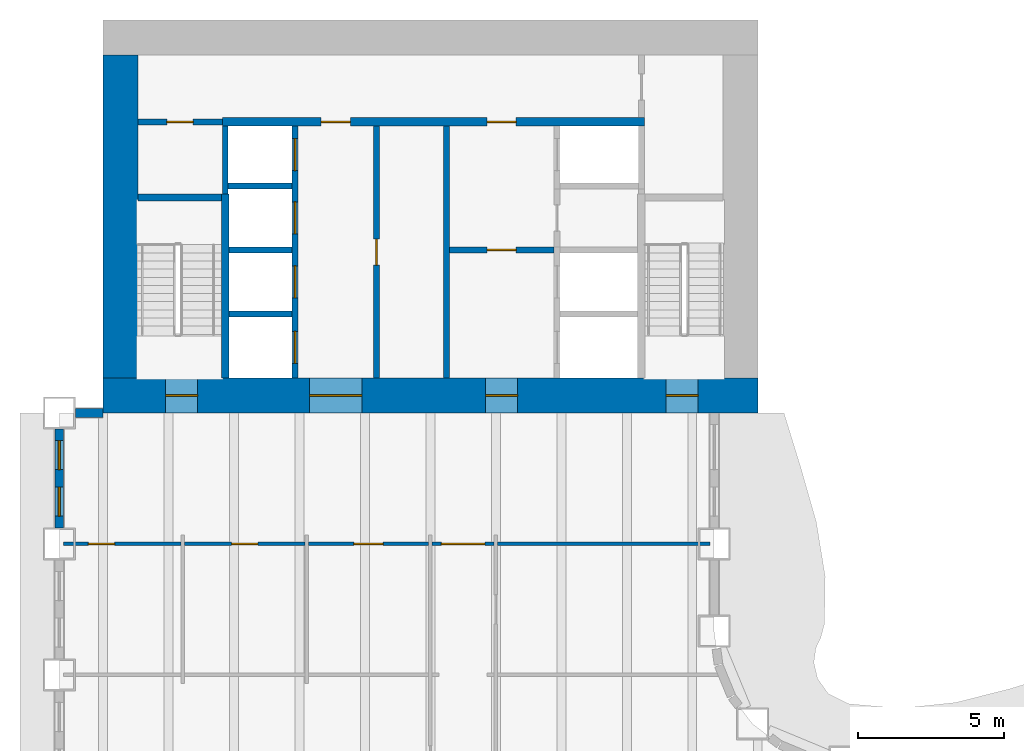
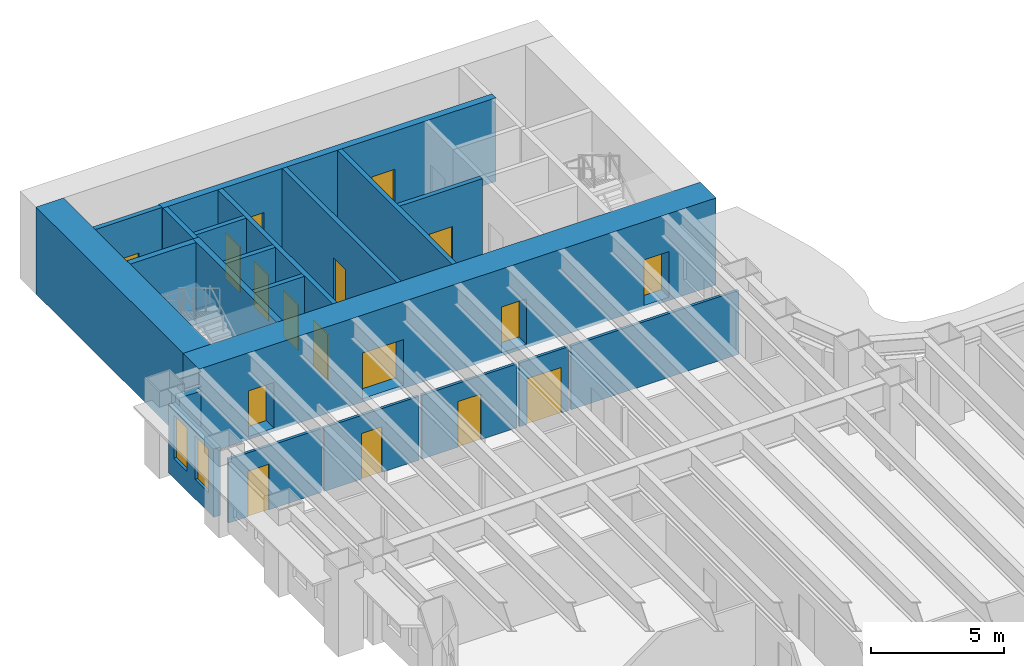
# One storey, part 8 of 16: 21 walls, 17 doors, 2 windows, 19 openings.
"""IFC4 building model written with IfcOpenShell, lengths in metres."""

from ifc_helpers import new_model, si_unit, direction, frame, frame_2d, origin, place, context, subcontext, project, spatial, rectangle, extrude, material, layer, layer_set, type_object, element, fill, save


model = new_model("IFC4")

# Units and contexts
model_context = context("Model", 3, precision=1e-05, world=origin(), true_north=direction((0.0, 1.0)))
body_context = subcontext(model_context, "Body", "Model", "MODEL_VIEW")
ifc_project = project(units=[si_unit("LENGTHUNIT", "METRE"), si_unit("AREAUNIT", "SQUARE_METRE"), si_unit("VOLUMEUNIT", "CUBIC_METRE"), si_unit("PLANEANGLEUNIT", "RADIAN"), si_unit("MASSUNIT", "GRAM", prefix="KILO")], contexts=[model_context])

# Site, building, storey
site_placement = place(None, origin())
site = spatial("IfcSite", under=ifc_project, at=site_placement, CompositionType="ELEMENT")
building_placement = place(site_placement, origin())
building = spatial("IfcBuilding", under=site, at=building_placement, Name="Sennacour Bend Tower", CompositionType="ELEMENT")
storey_placement = place(building_placement, frame((0.0, 0.0, 57.0)))
storey = spatial("IfcBuildingStorey", under=building, at=storey_placement, Name="L12", CompositionType="ELEMENT", Elevation=57.0)

# Wall, openings, doors
ifc_material_1 = material(Name="Concrete C80/95", Category="concrete")
ifc_layer_1 = layer(ifc_material_1, 1.199951171875, Name="Concrete C80/95", Category="concrete")
ifc_layer_set_1 = layer_set([ifc_layer_1], Name="Concrete C80/95")
wall_type_1 = type_object("IfcWallType", Name="Core wall 1200 C80/95", PredefinedType="SHEAR", material=ifc_layer_set_1)
wall_1_placement = place(storey_placement, frame((0.0, 36.60009765625, -0.14990234375), z_axis=(0.0, 0.0, 1.0), x_axis=(1.0, 0.0, 0.0)))
wall_1 = element("IfcWall", 1, at=wall_1_placement, inside=storey, type_object=wall_type_1, Name="Core B wall L12 S", PredefinedType="SHEAR", context=body_context, shape_type="SweptSolid", body=[
    extrude(rectangle(XDim=22.5, YDim=1.199951171875, at=frame_2d((11.25, 0.0))), origin(), (0.0, 0.0, 1.0), 4.0),
])
opening_1_placement = place(wall_1_placement, frame((7.10009765625, 0.0, 0.14990234375)))
opening_1 = element("IfcOpeningElement", 2, at=opening_1_placement, cuts=wall_1, Name="Opening CD", PredefinedType="OPENING", context=body_context, shape_type="SweptSolid", body=[
    extrude(rectangle(XDim=1.800048828125, YDim=2.10009765625, at=frame_2d((0.89990234375, 1.050048828125))), frame((0.0, 0.60986328125, 0.0), z_axis=(0.0, -1.0, 0.0), x_axis=(1.0, 0.0, 0.0)), (0.0, 0.0, 1.0), 1.219970703125),
])
opening_2_placement = place(wall_1_placement, frame((13.14990234375, 0.0, 0.14990234375)))
opening_2 = element("IfcOpeningElement", 3, at=opening_2_placement, cuts=wall_1, Name="Opening FD", PredefinedType="OPENING", context=body_context, shape_type="SweptSolid", body=[
    extrude(rectangle(XDim=1.10009765625, YDim=2.10009765625, at=frame_2d((0.550048828125, 1.050048828125))), frame((0.0, 0.60986328125, 0.0), z_axis=(0.0, -1.0, 0.0), x_axis=(1.0, 0.0, 0.0)), (0.0, 0.0, 1.0), 1.219970703125),
])
opening_3_placement = place(wall_1_placement, frame((2.14990234375, 0.0, 0.14990234375)))
opening_3 = element("IfcOpeningElement", 4, at=opening_3_placement, cuts=wall_1, Name="Opening SD", PredefinedType="OPENING", context=body_context, shape_type="SweptSolid", body=[
    extrude(rectangle(XDim=1.10009765625, YDim=2.10009765625, at=frame_2d((0.550048828125, 1.050048828125))), frame((0.0, 0.60986328125, 0.0), z_axis=(0.0, -1.0, 0.0), x_axis=(1.0, 0.0, 0.0)), (0.0, 0.0, 1.0), 1.219970703125),
])
opening_4_placement = place(wall_1_placement, frame((19.35009765625, 0.0, 0.14990234375)))
opening_4 = element("IfcOpeningElement", 5, at=opening_4_placement, cuts=wall_1, Name="Opening SD", PredefinedType="OPENING", context=body_context, shape_type="SweptSolid", body=[
    extrude(rectangle(XDim=1.10009765625, YDim=2.10009765625, at=frame_2d((0.550048828125, 1.050048828125))), frame((0.0, 0.60986328125, 0.0), z_axis=(0.0, -1.0, 0.0), x_axis=(1.0, 0.0, 0.0)), (0.0, 0.0, 1.0), 1.219970703125),
])
ifc_material_2 = material(Name="Painted steel", Category="steel")
door_type_1 = type_object("IfcDoorType", Name="DR-FFL-1100", OperationType="NOTDEFINED", PredefinedType="DOOR", material=ifc_material_2)
door_1_placement = place(opening_2_placement, origin())
door_1 = element("IfcDoor", 6, at=door_1_placement, inside=storey, type_object=door_type_1, Name="Door", OperationType="SINGLE_SWING_RIGHT", OverallHeight=2.10009765625, OverallWidth=1.10009765625, PredefinedType="DOOR", context=body_context, shape_type="SweptSolid", body=[
    extrude(rectangle(XDim=1.10009765625, YDim=2.10009765625, at=frame_2d((0.550048828125, 1.050048828125))), frame((0.0, 0.02490234375, 0.0), z_axis=(0.0, -1.0, 0.0), x_axis=(1.0, 0.0, 0.0)), (0.0, 0.0, 1.0), 0.050048828125),
])
fill(opening_2, door_1)
door_type_2 = type_object("IfcDoorType", Name="DR-LOBBY-1800", OperationType="NOTDEFINED", PredefinedType="DOOR", material=ifc_material_2)
door_2_placement = place(opening_1_placement, origin())
door_2 = element("IfcDoor", 7, at=door_2_placement, inside=storey, type_object=door_type_2, Name="Door", OperationType="DOUBLE_DOOR_SINGLE_SWING", OverallHeight=2.10009765625, OverallWidth=1.800048828125, PredefinedType="DOOR", context=body_context, shape_type="SweptSolid", body=[
    extrude(rectangle(XDim=1.800048828125, YDim=2.10009765625, at=frame_2d((0.89990234375, 1.050048828125))), frame((0.0, 0.02490234375, 0.0), z_axis=(0.0, -1.0, 0.0), x_axis=(1.0, 0.0, 0.0)), (0.0, 0.0, 1.0), 0.050048828125),
])
fill(opening_1, door_2)
door_type_3 = type_object("IfcDoorType", Name="DR-STAIR-1100", OperationType="NOTDEFINED", PredefinedType="DOOR", material=ifc_material_2)
door_3_placement = place(opening_3_placement, origin())
door_3 = element("IfcDoor", 8, at=door_3_placement, inside=storey, type_object=door_type_3, Name="Door", OperationType="SINGLE_SWING_LEFT", OverallHeight=2.10009765625, OverallWidth=1.10009765625, PredefinedType="DOOR", context=body_context, shape_type="SweptSolid", body=[
    extrude(rectangle(XDim=1.10009765625, YDim=2.10009765625, at=frame_2d((0.550048828125, 1.050048828125))), frame((0.0, 0.02490234375, 0.0), z_axis=(0.0, -1.0, 0.0), x_axis=(1.0, 0.0, 0.0)), (0.0, 0.0, 1.0), 0.050048828125),
])
fill(opening_3, door_3)
door_4_placement = place(opening_4_placement, origin())
door_4 = element("IfcDoor", 9, at=door_4_placement, inside=storey, type_object=door_type_3, Name="Door", OperationType="SINGLE_SWING_RIGHT", OverallHeight=2.10009765625, OverallWidth=1.10009765625, PredefinedType="DOOR", context=body_context, shape_type="SweptSolid", body=[
    extrude(rectangle(XDim=1.10009765625, YDim=2.10009765625, at=frame_2d((0.550048828125, 1.050048828125))), frame((0.0, 0.02490234375, 0.0), z_axis=(0.0, -1.0, 0.0), x_axis=(1.0, 0.0, 0.0)), (0.0, 0.0, 1.0), 0.050048828125),
])
fill(opening_4, door_4)

# Wall
wall_2_placement = place(storey_placement, frame((0.60009765625, 37.199951171875, -0.14990234375), z_axis=(0.0, 0.0, 1.0), x_axis=(0.0, 1.0, 0.0)))
element("IfcWall", 10, at=wall_2_placement, inside=storey, type_object=wall_type_1, Name="Core B wall L12 W", PredefinedType="SHEAR", context=body_context, shape_type="SweptSolid", body=[
    extrude(rectangle(XDim=11.10009765625, YDim=1.199951171875, at=frame_2d((5.550048828125, 0.0))), origin(), (0.0, 0.0, 1.0), 4.0),
])

# Wall, opening, door
ifc_material_3 = material(Name="Plasterboard partition on steel studs", Category="steel")
ifc_layer_2 = layer(ifc_material_3, 0.1201171875, Name="Plasterboard partition on steel studs", Category="steel")
ifc_layer_set_2 = layer_set([ifc_layer_2], Name="Plasterboard partition on steel studs")
wall_type_2 = type_object("IfcWallType", Name="Partition 120", PredefinedType="PARTITIONING", material=ifc_layer_set_2)
wall_3_placement = place(storey_placement, frame((-1.35009765625, 31.5, 0.0), z_axis=(0.0, 0.0, 1.0), x_axis=(1.0, 0.0, 0.0)))
wall_3 = element("IfcWall", 11, at=wall_3_placement, inside=storey, type_object=wall_type_2, Name="P-L12-W074aa", PredefinedType="PARTITIONING", context=body_context, shape_type="SweptSolid", body=[
    extrude(rectangle(XDim=4.0400390625, YDim=0.1201171875, at=frame_2d((2.02001953125, 0.0))), origin(), (0.0, 0.0, 1.0), 2.93798828125),
])
opening_5_placement = place(wall_3_placement, frame((0.85009765625, 0.0, 0.0)))
opening_5 = element("IfcOpeningElement", 12, at=opening_5_placement, cuts=wall_3, Name="Opening WD", PredefinedType="OPENING", context=body_context, shape_type="SweptSolid", body=[
    extrude(rectangle(XDim=0.89990234375, YDim=2.10009765625, at=frame_2d((0.449951171875, 1.050048828125))), frame((0.0, 0.070068359375, 0.0), z_axis=(0.0, -1.0, 0.0), x_axis=(1.0, 0.0, 0.0)), (0.0, 0.0, 1.0), 0.14013671875),
])
ifc_material_4 = material(Name="Timber", Category="wood")
door_type_4 = type_object("IfcDoorType", Name="DR-WC-900", OperationType="NOTDEFINED", PredefinedType="DOOR", material=ifc_material_4)
door_5_placement = place(opening_5_placement, origin())
door_5 = element("IfcDoor", 13, at=door_5_placement, inside=storey, type_object=door_type_4, Name="Door", OperationType="SINGLE_SWING_LEFT", OverallHeight=2.10009765625, OverallWidth=0.89990234375, PredefinedType="DOOR", context=body_context, shape_type="SweptSolid", body=[
    extrude(rectangle(XDim=0.89990234375, YDim=2.10009765625, at=frame_2d((0.449951171875, 1.050048828125))), frame((0.0, 0.02490234375, 0.0), z_axis=(0.0, -1.0, 0.0), x_axis=(1.0, 0.0, 0.0)), (0.0, 0.0, 1.0), 0.050048828125),
])
fill(opening_5, door_5)

wall_4_placement = place(storey_placement, frame((2.81005859375, 31.5, 0.0), z_axis=(0.0, 0.0, 1.0), x_axis=(1.0, 0.0, 0.0)))
wall_4 = element("IfcWall", 14, at=wall_4_placement, inside=storey, type_object=wall_type_2, Name="P-L12-W074ab", PredefinedType="PARTITIONING", context=body_context, shape_type="SweptSolid", body=[
    extrude(rectangle(XDim=4.1298828125, YDim=0.1201171875, at=frame_2d((2.06494140625, 0.0))), origin(), (0.0, 0.0, 1.0), 2.93798828125),
])
opening_6_placement = place(wall_4_placement, frame((1.614990234375, 0.0, 0.0)))
opening_6 = element("IfcOpeningElement", 15, at=opening_6_placement, cuts=wall_4, Name="Opening WD", PredefinedType="OPENING", context=body_context, shape_type="SweptSolid", body=[
    extrude(rectangle(XDim=0.89990234375, YDim=2.10009765625, at=frame_2d((0.449951171875, 1.050048828125))), frame((0.0, 0.070068359375, 0.0), z_axis=(0.0, -1.0, 0.0), x_axis=(1.0, 0.0, 0.0)), (0.0, 0.0, 1.0), 0.14013671875),
])
door_6_placement = place(opening_6_placement, origin())
door_6 = element("IfcDoor", 16, at=door_6_placement, inside=storey, type_object=door_type_4, Name="Door", OperationType="SINGLE_SWING_LEFT", OverallHeight=2.10009765625, OverallWidth=0.89990234375, PredefinedType="DOOR", context=body_context, shape_type="SweptSolid", body=[
    extrude(rectangle(XDim=0.89990234375, YDim=2.10009765625, at=frame_2d((0.449951171875, 1.050048828125))), frame((0.0, 0.02490234375, 0.0), z_axis=(0.0, -1.0, 0.0), x_axis=(1.0, 0.0, 0.0)), (0.0, 0.0, 1.0), 0.050048828125),
])
fill(opening_6, door_6)

wall_5_placement = place(storey_placement, frame((7.06005859375, 31.5, 0.0), z_axis=(0.0, 0.0, 1.0), x_axis=(1.0, 0.0, 0.0)))
wall_5 = element("IfcWall", 17, at=wall_5_placement, inside=storey, type_object=wall_type_2, Name="P-L12-W074ac", PredefinedType="PARTITIONING", context=body_context, shape_type="SweptSolid", body=[
    extrude(rectangle(XDim=4.1298828125, YDim=0.1201171875, at=frame_2d((2.06494140625, 0.0))), origin(), (0.0, 0.0, 1.0), 2.93798828125),
])
opening_7_placement = place(wall_5_placement, frame((1.56494140625, 0.0, 0.0)))
opening_7 = element("IfcOpeningElement", 18, at=opening_7_placement, cuts=wall_5, Name="Opening AD", PredefinedType="OPENING", context=body_context, shape_type="SweptSolid", body=[
    extrude(rectangle(XDim=1.0, YDim=2.10009765625, at=frame_2d((0.5, 1.050048828125))), frame((0.0, 0.070068359375, 0.0), z_axis=(0.0, -1.0, 0.0), x_axis=(1.0, 0.0, 0.0)), (0.0, 0.0, 1.0), 0.14013671875),
])
door_type_5 = type_object("IfcDoorType", Name="DR-ACC-WC-1000", OperationType="NOTDEFINED", PredefinedType="DOOR", material=ifc_material_4)
door_7_placement = place(opening_7_placement, origin())
door_7 = element("IfcDoor", 19, at=door_7_placement, inside=storey, type_object=door_type_5, Name="Door", OperationType="SINGLE_SWING_LEFT", OverallHeight=2.10009765625, OverallWidth=1.0, PredefinedType="DOOR", context=body_context, shape_type="SweptSolid", body=[
    extrude(rectangle(XDim=1.0, YDim=2.10009765625, at=frame_2d((0.5, 1.050048828125))), frame((0.0, 0.02490234375, 0.0), z_axis=(0.0, -1.0, 0.0), x_axis=(1.0, 0.0, 0.0)), (0.0, 0.0, 1.0), 0.050048828125),
])
fill(opening_7, door_7)

# Wall
wall_6_placement = place(storey_placement, frame((13.56005859375, 31.5, 0.0), z_axis=(0.0, 0.0, 1.0), x_axis=(1.0, 0.0, 0.0)))
element("IfcWall", 20, at=wall_6_placement, inside=storey, type_object=wall_type_2, Name="P-L12-W074ae", PredefinedType="PARTITIONING", context=body_context, shape_type="SweptSolid", body=[
    extrude(rectangle(XDim=7.2900390625, YDim=0.1201171875, at=frame_2d((3.64501953125, 0.0))), origin(), (0.0, 0.0, 1.0), 2.93798828125),
])

# Wall, opening, door
ifc_layer_3 = layer(ifc_material_3, 0.1201171875, Name="Plasterboard partition on steel studs", Category="steel")
ifc_layer_set_3 = layer_set([ifc_layer_3], Name="Plasterboard partition on steel studs")
wall_type_3 = type_object("IfcWallType", Name="Partition 120 EI 30", PredefinedType="PARTITIONING", material=ifc_layer_set_3)
wall_7_placement = place(storey_placement, frame((11.31005859375, 31.5, 0.0), z_axis=(0.0, 0.0, 1.0), x_axis=(1.0, 0.0, 0.0)))
wall_7 = element("IfcWall", 21, at=wall_7_placement, inside=storey, type_object=wall_type_3, Name="P-L12-W074ad", PredefinedType="PARTITIONING", context=body_context, shape_type="SweptSolid", body=[
    extrude(rectangle(XDim=2.1298828125, YDim=0.1201171875, at=frame_2d((1.06494140625, 0.0))), origin(), (0.0, 0.0, 1.0), 2.93798828125),
])
opening_8_placement = place(wall_7_placement, frame((0.31494140625, 0.0, 0.0)))
opening_8 = element("IfcOpeningElement", 22, at=opening_8_placement, cuts=wall_7, Name="Opening KD", PredefinedType="OPENING", context=body_context, shape_type="SweptSolid", body=[
    extrude(rectangle(XDim=1.5, YDim=2.10009765625, at=frame_2d((0.75, 1.050048828125))), frame((0.0, 0.070068359375, 0.0), z_axis=(0.0, -1.0, 0.0), x_axis=(1.0, 0.0, 0.0)), (0.0, 0.0, 1.0), 0.14013671875),
])
door_type_6 = type_object("IfcDoorType", Name="DR-CORRIDOR-1500", OperationType="NOTDEFINED", PredefinedType="DOOR", material=ifc_material_2)
door_8_placement = place(opening_8_placement, origin())
door_8 = element("IfcDoor", 23, at=door_8_placement, inside=storey, type_object=door_type_6, Name="Door", OperationType="SINGLE_SWING_LEFT", OverallHeight=2.10009765625, OverallWidth=1.5, PredefinedType="DOOR", context=body_context, shape_type="SweptSolid", body=[
    extrude(rectangle(XDim=1.5, YDim=2.10009765625, at=frame_2d((0.75, 1.050048828125))), frame((0.0, 0.02490234375, 0.0), z_axis=(0.0, -1.0, 0.0), x_axis=(1.0, 0.0, 0.0)), (0.0, 0.0, 1.0), 0.050048828125),
])
fill(opening_8, door_8)

ifc_material_5 = material(Name="Fire-rated plasterboard partition on steel studs", Category="steel")
ifc_layer_4 = layer(ifc_material_5, 0.199951171875, Name="Fire-rated plasterboard partition on steel studs", Category="steel")
ifc_layer_set_4 = layer_set([ifc_layer_4], Name="Fire-rated plasterboard partition on steel studs")
wall_type_4 = type_object("IfcWallType", Name="Rated partition 200", PredefinedType="PARTITIONING", material=ifc_layer_set_4)
wall_8_placement = place(storey_placement, frame((9.39990234375, 37.199951171875, 0.0), z_axis=(0.0, 0.0, 1.0), x_axis=(0.0, 1.0, 0.0)))
wall_8 = element("IfcWall", 24, at=wall_8_placement, inside=storey, type_object=wall_type_4, Name="P-L12-W012", PredefinedType="PARTITIONING", context=body_context, shape_type="SweptSolid", body=[
    extrude(rectangle(XDim=8.650146484375, YDim=0.199951171875, at=frame_2d((4.3251953125, 0.0))), origin(), (0.0, 0.0, 1.0), 3.85009765625),
])
opening_9_placement = place(wall_8_placement, frame((3.875, 0.0, 0.0)))
opening_9 = element("IfcOpeningElement", 25, at=opening_9_placement, cuts=wall_8, Name="Opening SV", PredefinedType="OPENING", context=body_context, shape_type="SweptSolid", body=[
    extrude(rectangle(XDim=0.89990234375, YDim=2.10009765625, at=frame_2d((0.449951171875, 1.050048828125))), frame((0.0, 0.10986328125, 0.0), z_axis=(0.0, -1.0, 0.0), x_axis=(1.0, 0.0, 0.0)), (0.0, 0.0, 1.0), 0.219970703125),
])
door_type_7 = type_object("IfcDoorType", Name="DR-SERVICE-900", OperationType="NOTDEFINED", PredefinedType="DOOR", material=ifc_material_2)
door_9_placement = place(opening_9_placement, origin())
door_9 = element("IfcDoor", 26, at=door_9_placement, inside=storey, type_object=door_type_7, Name="Door", OperationType="SINGLE_SWING_LEFT", OverallHeight=2.10009765625, OverallWidth=0.89990234375, PredefinedType="DOOR", context=body_context, shape_type="SweptSolid", body=[
    extrude(rectangle(XDim=0.89990234375, YDim=2.10009765625, at=frame_2d((0.449951171875, 1.050048828125))), frame((0.0, 0.02490234375, 0.0), z_axis=(0.0, -1.0, 0.0), x_axis=(1.0, 0.0, 0.0)), (0.0, 0.0, 1.0), 0.050048828125),
])
fill(opening_9, door_9)

# Wall
wall_9_placement = place(storey_placement, frame((11.800048828125, 37.199951171875, 0.0), z_axis=(0.0, 0.0, 1.0), x_axis=(0.0, 1.0, 0.0)))
element("IfcWall", 27, at=wall_9_placement, inside=storey, type_object=wall_type_4, Name="P-L12-W014", PredefinedType="PARTITIONING", context=body_context, shape_type="SweptSolid", body=[
    extrude(rectangle(XDim=8.650146484375, YDim=0.199951171875, at=frame_2d((4.3251953125, 0.0))), origin(), (0.0, 0.0, 1.0), 3.85009765625),
])

# Wall, opening, door
wall_10_placement = place(storey_placement, frame((1.199951171875, 46.0, 0.0), z_axis=(0.0, 0.0, 1.0), x_axis=(1.0, 0.0, 0.0)))
wall_10 = element("IfcWall", 28, at=wall_10_placement, inside=storey, type_object=wall_type_4, Name="P-L12-W085", PredefinedType="PARTITIONING", context=body_context, shape_type="SweptSolid", body=[
    extrude(rectangle(XDim=2.900146484375, YDim=0.199951171875, at=frame_2d((1.4501953125, 0.0))), origin(), (0.0, 0.0, 1.0), 3.85009765625),
])
opening_10_placement = place(wall_10_placement, frame((1.0, 0.0, 0.0)))
opening_10 = element("IfcOpeningElement", 29, at=opening_10_placement, cuts=wall_10, Name="Opening SV", PredefinedType="OPENING", context=body_context, shape_type="SweptSolid", body=[
    extrude(rectangle(XDim=0.89990234375, YDim=2.10009765625, at=frame_2d((0.449951171875, 1.050048828125))), frame((0.0, 0.10986328125, 0.0), z_axis=(0.0, -1.0, 0.0), x_axis=(1.0, 0.0, 0.0)), (0.0, 0.0, 1.0), 0.219970703125),
])
door_10_placement = place(opening_10_placement, origin())
door_10 = element("IfcDoor", 30, at=door_10_placement, inside=storey, type_object=door_type_7, Name="Door", OperationType="SINGLE_SWING_LEFT", OverallHeight=2.10009765625, OverallWidth=0.89990234375, PredefinedType="DOOR", context=body_context, shape_type="SweptSolid", body=[
    extrude(rectangle(XDim=0.89990234375, YDim=2.10009765625, at=frame_2d((0.449951171875, 1.050048828125))), frame((0.0, 0.02490234375, 0.0), z_axis=(0.0, -1.0, 0.0), x_axis=(1.0, 0.0, 0.0)), (0.0, 0.0, 1.0), 0.050048828125),
])
fill(opening_10, door_10)

ifc_layer_5 = layer(ifc_material_5, 0.199951171875, Name="Fire-rated plasterboard partition on steel studs", Category="steel")
ifc_layer_set_5 = layer_set([ifc_layer_5], Name="Fire-rated plasterboard partition on steel studs")
wall_type_5 = type_object("IfcWallType", Name="Rated partition 200 EI 90", PredefinedType="PARTITIONING", material=ifc_layer_set_5)
wall_11_placement = place(storey_placement, frame((11.89990234375, 41.60009765625, 0.0), z_axis=(0.0, 0.0, 1.0), x_axis=(1.0, 0.0, 0.0)))
wall_11 = element("IfcWall", 31, at=wall_11_placement, inside=storey, type_object=wall_type_5, Name="P-L12-W079", PredefinedType="PARTITIONING", context=body_context, shape_type="SweptSolid", body=[
    extrude(rectangle(XDim=3.60009765625, YDim=0.199951171875, at=frame_2d((1.800048828125, 0.0))), origin(), (0.0, 0.0, 1.0), 3.85009765625),
])
opening_11_placement = place(wall_11_placement, frame((1.300048828125, 0.0, 0.0)))
opening_11 = element("IfcOpeningElement", 32, at=opening_11_placement, cuts=wall_11, Name="Opening FD2", PredefinedType="OPENING", context=body_context, shape_type="SweptSolid", body=[
    extrude(rectangle(XDim=1.0, YDim=2.10009765625, at=frame_2d((0.5, 1.050048828125))), frame((0.0, 0.10986328125, 0.0), z_axis=(0.0, -1.0, 0.0), x_axis=(1.0, 0.0, 0.0)), (0.0, 0.0, 1.0), 0.219970703125),
])
door_type_8 = type_object("IfcDoorType", Name="DR-FFL-1000", OperationType="NOTDEFINED", PredefinedType="DOOR", material=ifc_material_2)
door_11_placement = place(opening_11_placement, origin())
door_11 = element("IfcDoor", 33, at=door_11_placement, inside=storey, type_object=door_type_8, Name="Door", OperationType="SINGLE_SWING_LEFT", OverallHeight=2.10009765625, OverallWidth=1.0, PredefinedType="DOOR", context=body_context, shape_type="SweptSolid", body=[
    extrude(rectangle(XDim=1.0, YDim=2.10009765625, at=frame_2d((0.5, 1.050048828125))), frame((0.0, 0.02490234375, 0.0), z_axis=(0.0, -1.0, 0.0), x_axis=(1.0, 0.0, 0.0)), (0.0, 0.0, 1.0), 0.050048828125),
])
fill(opening_11, door_11)

# Wall
ifc_material_6 = material(Name="Warm limestone cladding", Category="masonry")
ifc_layer_6 = layer(ifc_material_6, 0.050048828125, Name="Warm limestone cladding", Category="masonry")
ifc_material_7 = material(Name="Precast concrete C40/50", Category="concrete")
ifc_layer_7 = layer(ifc_material_7, 0.25, Name="Precast concrete C40/50", Category="concrete")
ifc_layer_set_6 = layer_set([ifc_layer_6, ifc_layer_7], Name="Precast concrete C40/50 with limestone cladding")
wall_type_6 = type_object("IfcWallType", Name="STONE-CLAD PRECAST SPANDREL 300", PredefinedType="STANDARD", material=ifc_layer_set_6)
wall_12_placement = place(storey_placement, frame((0.0, 36.0, 0.0), z_axis=(0.0, 0.0, 1.0), x_axis=(-1.0, 0.0, 0.0)))
element("IfcWall", 34, at=wall_12_placement, inside=storey, type_object=wall_type_6, Name="Stone spandrel and pier wall L12 20.00", PredefinedType="STANDARD", context=body_context, shape_type="SweptSolid", body=[
    extrude(rectangle(XDim=0.949951171875, YDim=0.300048828125, at=frame_2d((0.47509765625, 0.0))), origin(), (0.0, 0.0, 1.0), 2.93798828125),
])

# Wall, openings, windows
wall_13_placement = place(storey_placement, frame((-1.5, 35.449951171875, 0.0), z_axis=(0.0, 0.0, 1.0), x_axis=(0.0, -1.0, 0.0)))
wall_13 = element("IfcWall", 35, at=wall_13_placement, inside=storey, type_object=wall_type_6, Name="Stone spandrel and pier wall L12 21.00", PredefinedType="STANDARD", context=body_context, shape_type="SweptSolid", body=[
    extrude(rectangle(XDim=3.39990234375, YDim=0.300048828125, at=frame_2d((1.699951171875, 0.0))), origin(), (0.0, 0.0, 1.0), 3.14404296875),
])
opening_12_placement = place(wall_13_placement, frame((0.39990234375, 0.0, 0.89990234375)))
opening_12 = element("IfcOpeningElement", 36, at=opening_12_placement, cuts=wall_13, Name="Opening W8", PredefinedType="OPENING", context=body_context, shape_type="SweptSolid", body=[
    extrude(rectangle(XDim=1.0, YDim=2.0, at=frame_2d((0.5, 1.0))), frame((0.0, 0.16015625, 0.0), z_axis=(0.0, -1.0, 0.0), x_axis=(1.0, 0.0, 0.0)), (0.0, 0.0, 1.0), 0.320068359375),
])
opening_13_placement = place(wall_13_placement, frame((2.0, 0.0, 0.89990234375)))
opening_13 = element("IfcOpeningElement", 37, at=opening_13_placement, cuts=wall_13, Name="Opening W8", PredefinedType="OPENING", context=body_context, shape_type="SweptSolid", body=[
    extrude(rectangle(XDim=1.0, YDim=2.0, at=frame_2d((0.5, 1.0))), frame((0.0, 0.16015625, 0.0), z_axis=(0.0, -1.0, 0.0), x_axis=(1.0, 0.0, 0.0)), (0.0, 0.0, 1.0), 0.320068359375),
])
ifc_material_8 = material(Name="Clear low-emissivity glass", Category="glass")
window_type = type_object("IfcWindowType", Name="WIN-RIBBON-1000x2000", PartitioningType="SINGLE_PANEL", PredefinedType="WINDOW", material=ifc_material_8)
window_1_placement = place(opening_12_placement, origin())
window_1 = element("IfcWindow", 38, at=window_1_placement, inside=storey, type_object=window_type, Name="Ribbon window L12 21.00.0", OverallHeight=2.0, OverallWidth=1.0, PartitioningType="SINGLE_PANEL", PredefinedType="WINDOW", context=body_context, shape_type="SweptSolid", body=[
    extrude(rectangle(XDim=1.0, YDim=2.0, at=frame_2d((0.5, 1.0))), frame((0.0, 0.030029296875, 0.0), z_axis=(0.0, -1.0, 0.0), x_axis=(1.0, 0.0, 0.0)), (0.0, 0.0, 1.0), 0.06005859375),
])
fill(opening_12, window_1)
window_2_placement = place(opening_13_placement, origin())
window_2 = element("IfcWindow", 39, at=window_2_placement, inside=storey, type_object=window_type, Name="Ribbon window L12 21.00.1", OverallHeight=2.0, OverallWidth=1.0, PartitioningType="SINGLE_PANEL", PredefinedType="WINDOW", context=body_context, shape_type="SweptSolid", body=[
    extrude(rectangle(XDim=1.0, YDim=2.0, at=frame_2d((0.5, 1.0))), frame((0.0, 0.030029296875, 0.0), z_axis=(0.0, -1.0, 0.0), x_axis=(1.0, 0.0, 0.0)), (0.0, 0.0, 1.0), 0.06005859375),
])
fill(opening_13, window_2)

# Wall
ifc_material_9 = material(Name="Concrete C50/60", Category="concrete")
ifc_layer_8 = layer(ifc_material_9, 0.199951171875, Name="Concrete C50/60", Category="concrete")
ifc_layer_set_7 = layer_set([ifc_layer_8], Name="Concrete C50/60")
wall_type_7 = type_object("IfcWallType", Name="Shaft wall 200", PredefinedType="SOLIDWALL", material=ifc_layer_set_7)
wall_14_placement = place(storey_placement, frame((4.199951171875, 43.52490234375, 0.0), z_axis=(0.0, 0.0, 1.0), x_axis=(0.0, 1.0, 0.0)))
element("IfcWall", 40, at=wall_14_placement, inside=storey, type_object=wall_type_7, Name="P-L12-W006", PredefinedType="SOLIDWALL", context=body_context, shape_type="SweptSolid", body=[
    extrude(rectangle(XDim=2.3251953125, YDim=0.199951171875, at=frame_2d((1.16259765625, 0.0))), origin(), (0.0, 0.0, 1.0), 3.85009765625),
])

# Wall, openings, doors
wall_15_placement = place(storey_placement, frame((6.60009765625, 37.199951171875, 0.0), z_axis=(0.0, 0.0, 1.0), x_axis=(0.0, 1.0, 0.0)))
wall_15 = element("IfcWall", 41, at=wall_15_placement, inside=storey, type_object=wall_type_7, Name="P-L12-W007", PredefinedType="SOLIDWALL", context=body_context, shape_type="SweptSolid", body=[
    extrude(rectangle(XDim=8.650146484375, YDim=0.199951171875, at=frame_2d((4.3251953125, 0.0))), origin(), (0.0, 0.0, 1.0), 3.85009765625),
])
opening_14_placement = place(wall_15_placement, frame((0.5, 0.0, 0.011962890625)))
opening_14 = element("IfcOpeningElement", 42, at=opening_14_placement, cuts=wall_15, Name="Opening LD", PredefinedType="OPENING", context=body_context, shape_type="SweptSolid", body=[
    extrude(rectangle(XDim=1.10009765625, YDim=2.10009765625, at=frame_2d((0.550048828125, 1.050048828125))), frame((0.0, 0.10986328125, 0.0), z_axis=(0.0, -1.0, 0.0), x_axis=(1.0, 0.0, 0.0)), (0.0, 0.0, 1.0), 0.219970703125),
])
opening_15_placement = place(wall_15_placement, frame((2.75, 0.0, 0.011962890625)))
opening_15 = element("IfcOpeningElement", 43, at=opening_15_placement, cuts=wall_15, Name="Opening LD", PredefinedType="OPENING", context=body_context, shape_type="SweptSolid", body=[
    extrude(rectangle(XDim=1.10009765625, YDim=2.10009765625, at=frame_2d((0.550048828125, 1.050048828125))), frame((0.0, 0.10986328125, 0.0), z_axis=(0.0, -1.0, 0.0), x_axis=(1.0, 0.0, 0.0)), (0.0, 0.0, 1.0), 0.219970703125),
])
opening_16_placement = place(wall_15_placement, frame((4.949951171875, 0.0, 0.011962890625)))
opening_16 = element("IfcOpeningElement", 44, at=opening_16_placement, cuts=wall_15, Name="Opening LD", PredefinedType="OPENING", context=body_context, shape_type="SweptSolid", body=[
    extrude(rectangle(XDim=1.10009765625, YDim=2.10009765625, at=frame_2d((0.550048828125, 1.050048828125))), frame((0.0, 0.10986328125, 0.0), z_axis=(0.0, -1.0, 0.0), x_axis=(1.0, 0.0, 0.0)), (0.0, 0.0, 1.0), 0.219970703125),
])
opening_17_placement = place(wall_15_placement, frame((7.125, 0.0, 0.011962890625)))
opening_17 = element("IfcOpeningElement", 45, at=opening_17_placement, cuts=wall_15, Name="Opening LD", PredefinedType="OPENING", context=body_context, shape_type="SweptSolid", body=[
    extrude(rectangle(XDim=1.10009765625, YDim=2.10009765625, at=frame_2d((0.550048828125, 1.050048828125))), frame((0.0, 0.10986328125, 0.0), z_axis=(0.0, -1.0, 0.0), x_axis=(1.0, 0.0, 0.0)), (0.0, 0.0, 1.0), 0.219970703125),
])
ifc_material_10 = material(Name="Stainless steel", Category="steel")
door_type_9 = type_object("IfcDoorType", Name="DR-LANDING-1100", OperationType="NOTDEFINED", PredefinedType="DOOR", material=ifc_material_10)
door_12_placement = place(opening_14_placement, origin())
door_12 = element("IfcDoor", 46, at=door_12_placement, inside=storey, type_object=door_type_9, Name="Lift landing door LB1", OperationType="SLIDING_TO_LEFT", OverallHeight=2.10009765625, OverallWidth=1.10009765625, PredefinedType="DOOR", context=body_context, shape_type="SweptSolid", body=[
    extrude(rectangle(XDim=1.10009765625, YDim=2.10009765625, at=frame_2d((0.550048828125, 1.050048828125))), frame((0.0, 0.02490234375, 0.0), z_axis=(0.0, -1.0, 0.0), x_axis=(1.0, 0.0, 0.0)), (0.0, 0.0, 1.0), 0.050048828125),
])
fill(opening_14, door_12)
door_13_placement = place(opening_15_placement, origin())
door_13 = element("IfcDoor", 47, at=door_13_placement, inside=storey, type_object=door_type_9, Name="Lift landing door LB2", OperationType="SLIDING_TO_RIGHT", OverallHeight=2.10009765625, OverallWidth=1.10009765625, PredefinedType="DOOR", context=body_context, shape_type="SweptSolid", body=[
    extrude(rectangle(XDim=1.10009765625, YDim=2.10009765625, at=frame_2d((0.550048828125, 1.050048828125))), frame((0.0, 0.02490234375, 0.0), z_axis=(0.0, -1.0, 0.0), x_axis=(1.0, 0.0, 0.0)), (0.0, 0.0, 1.0), 0.050048828125),
])
fill(opening_15, door_13)
door_14_placement = place(opening_16_placement, origin())
door_14 = element("IfcDoor", 48, at=door_14_placement, inside=storey, type_object=door_type_9, Name="Lift landing door LB3", OperationType="SLIDING_TO_LEFT", OverallHeight=2.10009765625, OverallWidth=1.10009765625, PredefinedType="DOOR", context=body_context, shape_type="SweptSolid", body=[
    extrude(rectangle(XDim=1.10009765625, YDim=2.10009765625, at=frame_2d((0.550048828125, 1.050048828125))), frame((0.0, 0.02490234375, 0.0), z_axis=(0.0, -1.0, 0.0), x_axis=(1.0, 0.0, 0.0)), (0.0, 0.0, 1.0), 0.050048828125),
])
fill(opening_16, door_14)
door_15_placement = place(opening_17_placement, origin())
door_15 = element("IfcDoor", 49, at=door_15_placement, inside=storey, type_object=door_type_9, Name="Lift landing door LB4", OperationType="SLIDING_TO_RIGHT", OverallHeight=2.10009765625, OverallWidth=1.10009765625, PredefinedType="DOOR", context=body_context, shape_type="SweptSolid", body=[
    extrude(rectangle(XDim=1.10009765625, YDim=2.10009765625, at=frame_2d((0.550048828125, 1.050048828125))), frame((0.0, 0.02490234375, 0.0), z_axis=(0.0, -1.0, 0.0), x_axis=(1.0, 0.0, 0.0)), (0.0, 0.0, 1.0), 0.050048828125),
])
fill(opening_17, door_15)

# Walls
for number, where, z_axis, x_axis, name in (
    (50, (4.324951171875, 39.39990234375, 0.0), (0.0, 0.0, 1.0), (1.0, 0.0, 0.0), "P-L12-W076"),
    (51, (4.324951171875, 41.60009765625, 0.0), (0.0, 0.0, 1.0), (1.0, 0.0, 0.0), "P-L12-W078"),
):
    element("IfcWall", number, at=place(storey_placement, frame(where, z_axis=z_axis, x_axis=x_axis)), inside=storey, type_object=wall_type_7, Name=name, PredefinedType="SOLIDWALL", context=body_context, shape_type="SweptSolid", body=[
        extrude(rectangle(XDim=2.175048828125, YDim=0.199951171875, at=frame_2d((1.08740234375, 0.0))), origin(), (0.0, 0.0, 1.0), 3.85009765625),
    ])
wall_16_placement = place(storey_placement, frame((4.300048828125, 43.800048828125, 0.0), z_axis=(0.0, 0.0, 1.0), x_axis=(1.0, 0.0, 0.0)))
element("IfcWall", 52, at=wall_16_placement, inside=storey, type_object=wall_type_7, Name="P-L12-W083", PredefinedType="SOLIDWALL", context=body_context, shape_type="SweptSolid", body=[
    extrude(rectangle(XDim=2.199951171875, YDim=0.199951171875, at=frame_2d((1.10009765625, 0.0))), origin(), (0.0, 0.0, 1.0), 3.85009765625),
])

# Wall, openings, doors
ifc_material_11 = material(Name="Concrete C60/75", Category="concrete")
ifc_layer_9 = layer(ifc_material_11, 0.300048828125, Name="Concrete C60/75", Category="concrete")
ifc_layer_set_8 = layer_set([ifc_layer_9], Name="Concrete C60/75")
wall_type_8 = type_object("IfcWallType", Name="Spine wall 300", PredefinedType="SHEAR", material=ifc_layer_set_8)
wall_17_placement = place(storey_placement, frame((4.10009765625, 46.0, 0.0), z_axis=(0.0, 0.0, 1.0), x_axis=(1.0, 0.0, 0.0)))
wall_17 = element("IfcWall", 53, at=wall_17_placement, inside=storey, type_object=wall_type_8, Name="P-L12-W086", PredefinedType="SHEAR", context=body_context, shape_type="SweptSolid", body=[
    extrude(rectangle(XDim=14.5, YDim=0.300048828125, at=frame_2d((7.25, 0.0))), origin(), (0.0, 0.0, 1.0), 3.85009765625),
])
opening_18_placement = place(wall_17_placement, frame((3.39990234375, 0.0, 0.0)))
opening_18 = element("IfcOpeningElement", 54, at=opening_18_placement, cuts=wall_17, Name="Opening CD2", PredefinedType="OPENING", context=body_context, shape_type="SweptSolid", body=[
    extrude(rectangle(XDim=1.0, YDim=2.10009765625, at=frame_2d((0.5, 1.050048828125))), frame((0.0, 0.16015625, 0.0), z_axis=(0.0, -1.0, 0.0), x_axis=(1.0, 0.0, 0.0)), (0.0, 0.0, 1.0), 0.320068359375),
])
opening_19_placement = place(wall_17_placement, frame((9.099853515625, 0.0, 0.0)))
opening_19 = element("IfcOpeningElement", 55, at=opening_19_placement, cuts=wall_17, Name="Opening CD2", PredefinedType="OPENING", context=body_context, shape_type="SweptSolid", body=[
    extrude(rectangle(XDim=1.0, YDim=2.10009765625, at=frame_2d((0.5, 1.050048828125))), frame((0.0, 0.16015625, 0.0), z_axis=(0.0, -1.0, 0.0), x_axis=(1.0, 0.0, 0.0)), (0.0, 0.0, 1.0), 0.320068359375),
])
door_type_10 = type_object("IfcDoorType", Name="DR-LOBBY-1000", OperationType="NOTDEFINED", PredefinedType="DOOR", material=ifc_material_2)
door_16_placement = place(opening_18_placement, origin())
door_16 = element("IfcDoor", 56, at=door_16_placement, inside=storey, type_object=door_type_10, Name="Door", OperationType="SINGLE_SWING_LEFT", OverallHeight=2.10009765625, OverallWidth=1.0, PredefinedType="DOOR", context=body_context, shape_type="SweptSolid", body=[
    extrude(rectangle(XDim=1.0, YDim=2.10009765625, at=frame_2d((0.5, 1.050048828125))), frame((0.0, 0.02490234375, 0.0), z_axis=(0.0, -1.0, 0.0), x_axis=(1.0, 0.0, 0.0)), (0.0, 0.0, 1.0), 0.050048828125),
])
fill(opening_18, door_16)
door_17_placement = place(opening_19_placement, origin())
door_17 = element("IfcDoor", 57, at=door_17_placement, inside=storey, type_object=door_type_10, Name="Door", OperationType="SINGLE_SWING_RIGHT", OverallHeight=2.10009765625, OverallWidth=1.0, PredefinedType="DOOR", context=body_context, shape_type="SweptSolid", body=[
    extrude(rectangle(XDim=1.0, YDim=2.10009765625, at=frame_2d((0.5, 1.050048828125))), frame((0.0, 0.02490234375, 0.0), z_axis=(0.0, -1.0, 0.0), x_axis=(1.0, 0.0, 0.0)), (0.0, 0.0, 1.0), 0.050048828125),
])
fill(opening_19, door_17)

# Walls
ifc_layer_10 = layer(ifc_material_11, 0.25, Name="Concrete C60/75", Category="concrete")
ifc_layer_set_9 = layer_set([ifc_layer_10], Name="Concrete C60/75")
wall_type_9 = type_object("IfcWallType", Name="Stair wall 250", PredefinedType="SHEAR", material=ifc_layer_set_9)
wall_18_placement = place(storey_placement, frame((4.199951171875, 37.199951171875, 0.0), z_axis=(0.0, 0.0, 1.0), x_axis=(0.0, 1.0, 0.0)))
element("IfcWall", 58, at=wall_18_placement, inside=storey, type_object=wall_type_9, Name="P-L12-W005", PredefinedType="SHEAR", context=body_context, shape_type="SweptSolid", body=[
    extrude(rectangle(XDim=6.324951171875, YDim=0.25, at=frame_2d((3.16259765625, 0.0))), origin(), (0.0, 0.0, 1.0), 3.85009765625),
])
wall_19_placement = place(storey_placement, frame((1.199951171875, 43.39990234375, 0.0), z_axis=(0.0, 0.0, 1.0), x_axis=(1.0, 0.0, 0.0)))
element("IfcWall", 59, at=wall_19_placement, inside=storey, type_object=wall_type_9, Name="P-L12-W081", PredefinedType="SHEAR", context=body_context, shape_type="SweptSolid", body=[
    extrude(rectangle(XDim=2.875, YDim=0.25, at=frame_2d((1.4375, 0.0))), origin(), (0.0, 0.0, 1.0), 3.85009765625),
])

save(model, "model.ifc")
